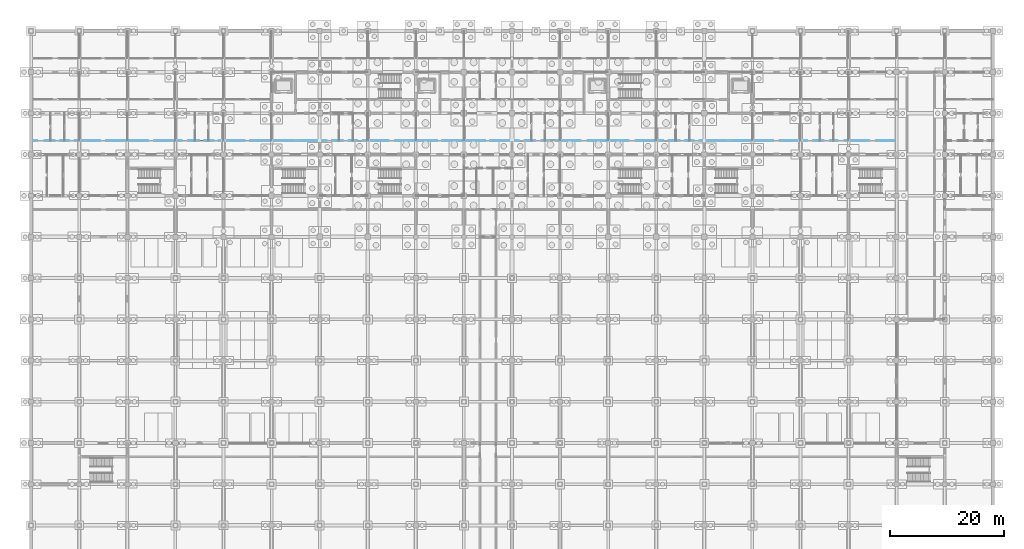
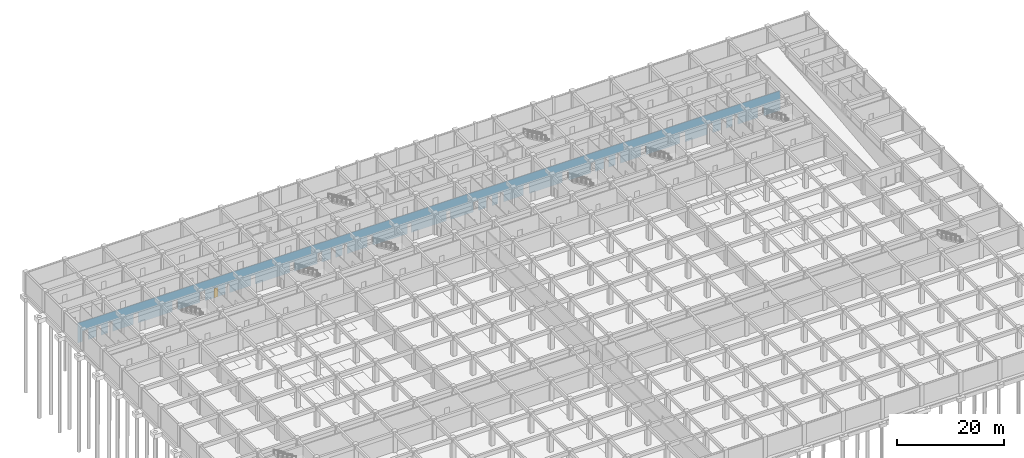
# One storey, part 47 of 85: 1 door, 30 openings, plus 1 element that does not belong to this part.
"""IFC4 building model written with IfcOpenShell, lengths in metres."""

import ifcopenshell
import ifcopenshell.guid

model = None  # the IFC model being written
_history = None  # IfcOwnerHistory: only IFC2X3 demands one
_inside = {}  # id of a spatial element -> (the spatial element, [elements in it])
_under = {}  # id of a project, library or spatial element -> (it, [spatial elements below it])
_declared = {}  # id of a project -> (the project, [libraries it declares])
_typed = {}  # id of a type object -> (the type object, [elements of that type])
_made_of = {}  # id of a material, layer set ... -> (it, [elements and type objects made of it])


def new_model(schema):
    """Start an empty IFC model of exactly this schema.

    Asked for "IFC4X3", IfcOpenShell would pick the latest addendum, in which some entities
    have other attributes; the version numbers below select the first issue.
    IFC2X3 requires an IfcOwnerHistory on every rooted entity: one is made here for all.
    """
    global model, _history
    if schema == "IFC4X3":
        model = ifcopenshell.file(schema_version=(4, 3, 0, 0))
    else:
        model = ifcopenshell.file(schema=schema)
    _inside.clear()
    _under.clear()
    _declared.clear()
    _typed.clear()
    _made_of.clear()
    _history = None
    if model.schema == "IFC2X3":
        org = make("IfcOrganization", Name="unknown")
        user = make(
            "IfcPersonAndOrganization",
            ThePerson=make("IfcPerson", FamilyName="unknown"),
            TheOrganization=org,
        )
        app = make(
            "IfcApplication",
            ApplicationDeveloper=org,
            Version="unknown",
            ApplicationFullName="unknown",
            ApplicationIdentifier="unknown",
        )
        _history = make(
            "IfcOwnerHistory",
            OwningUser=user,
            OwningApplication=app,
            ChangeAction="ADDED",
            CreationDate=0,
        )
    return model


def make(cls, **values):
    """One entity of the class cls with the attributes given. An attribute that is None is left unset."""
    return model.create_entity(
        cls, **{name: value for name, value in values.items() if value is not None}
    )


def rooted(cls, **values):
    """An entity with a GlobalId (a new one), such as an element, a storey or a relation."""
    return make(cls, GlobalId=ifcopenshell.guid.new(), OwnerHistory=_history, **values)


def si_unit(unit_type, name, prefix=None):
    """IfcSIUnit, for example si_unit("LENGTHUNIT", "METRE", prefix="MILLI")."""
    return make("IfcSIUnit", UnitType=unit_type, Prefix=prefix, Name=name)


def assignment(units):
    """IfcUnitAssignment: the units of a project."""
    return None if units is None else make("IfcUnitAssignment", Units=units)


def point(xyz):
    """IfcCartesianPoint."""
    return None if xyz is None else make("IfcCartesianPoint", Coordinates=xyz)


def direction(xyz):
    """IfcDirection."""
    return None if xyz is None else make("IfcDirection", DirectionRatios=xyz)


def frame(location, z_axis=None, x_axis=None):
    """IfcAxis2Placement3D, a coordinate frame: its origin and axes. An axis left out is left unset."""
    return make(
        "IfcAxis2Placement3D",
        Location=point(location),
        Axis=direction(z_axis),
        RefDirection=direction(x_axis),
    )


def frame_2d(location, x_axis=None):
    """IfcAxis2Placement2D, a coordinate frame in the plane: its origin and x axis."""
    return make(
        "IfcAxis2Placement2D", Location=point(location), RefDirection=direction(x_axis)
    )


def origin():
    """The frame at (0, 0, 0) with its axes left unset."""
    return frame((0.0, 0.0, 0.0))


def place(relative_to, where):
    """IfcLocalPlacement: puts the frame where relative to a parent placement (None: the world)."""
    return make(
        "IfcLocalPlacement", PlacementRelTo=relative_to, RelativePlacement=where
    )


def context(
    kind, dimensions, precision=None, world=None, true_north=None, identifier=None
):
    """IfcGeometricRepresentationContext, for example the 3D "Model" context."""
    return make(
        "IfcGeometricRepresentationContext",
        ContextIdentifier=identifier,
        ContextType=kind,
        CoordinateSpaceDimension=dimensions,
        Precision=precision,
        WorldCoordinateSystem=world,
        TrueNorth=true_north,
    )


def subcontext(parent, identifier, kind, view, scale=None):
    """IfcGeometricRepresentationSubContext, for example "Body" below "Model"."""
    return make(
        "IfcGeometricRepresentationSubContext",
        ContextIdentifier=identifier,
        ContextType=kind,
        ParentContext=parent,
        TargetScale=scale,
        TargetView=view,
    )


def project(units=None, contexts=None):
    """IfcProject with its units and contexts."""
    return rooted(
        "IfcProject",
        Name="project",
        RepresentationContexts=contexts,
        UnitsInContext=assignment(units),
    )


def spatial(cls, under=None, at=None, **own):
    """A site, building, storey or space (cls), placed at a placement, below another one or the project."""
    s = rooted(cls, ObjectPlacement=at, **own)
    if under is not None:
        _under.setdefault(under.id(), (under, []))[1].append(s)
    return s


def profile(cls, at=None, kind="AREA", **sizes):
    """A parametric profile (cls). Its sizes go by their IFC names, for example OverallWidth=200.0."""
    return make(cls, ProfileType=kind, Position=at, **sizes)


def rectangle(**sizes):
    """IfcRectangleProfileDef."""
    return profile("IfcRectangleProfileDef", **sizes)


def extrude(swept, where, along, depth):
    """IfcExtrudedAreaSolid: the profile swept, set in the frame where, extruded along a direction by depth."""
    return make(
        "IfcExtrudedAreaSolid",
        SweptArea=swept,
        Position=where,
        ExtrudedDirection=direction(along),
        Depth=depth,
    )


def shape(context_of_items, identifier, shape_type, items):
    """IfcShapeRepresentation: the items that make up one representation, for example the "Body"."""
    return make(
        "IfcShapeRepresentation",
        ContextOfItems=context_of_items,
        RepresentationIdentifier=identifier,
        RepresentationType=shape_type,
        Items=items,
    )


def material(Name=None, Category=None):
    """IfcMaterial."""
    return make("IfcMaterial", Name=Name, Category=Category)


def layer(
    of_material, thickness, ventilated=None, Name=None, Category=None, Priority=None
):
    """IfcMaterialLayer: one layer of a wall or slab, of a material (None: an air gap)."""
    return make(
        "IfcMaterialLayer",
        Material=of_material,
        LayerThickness=thickness,
        IsVentilated=ventilated,
        Name=Name,
        Category=Category,
        Priority=Priority,
    )


def layer_set(layers, Name=None):
    """IfcMaterialLayerSet."""
    return make("IfcMaterialLayerSet", MaterialLayers=layers, LayerSetName=Name)


def made_of(thing, what):
    """Note that an element or type object is made of a material, layer set ...; save() writes the relation."""
    if what is not None:
        _made_of.setdefault(what.id(), (what, []))[1].append(thing)
    return thing


def type_object(cls, material=None, **own):
    """A type object (cls), such as IfcWallType, which elements share."""
    return made_of(rooted(cls, **own), material)


def element(
    cls,
    number,
    at=None,
    inside=None,
    cuts=None,
    type_object=None,
    material=None,
    context=None,
    identifier="Body",
    shape_type=None,
    held_by="IfcProductDefinitionShape",
    body=None,
    shapes=None,
    **own,
):
    """One element of the class cls, such as IfcWall. Its Tag is "e" and its number.

    at: its placement. inside: the storey or other place that contains it. cuts: it is an
    opening in that element (IfcRelVoidsElement). A single representation is given by context,
    identifier, shape_type and body (its items); several are given by shapes. held_by: the class
    of the entity that holds the representations. save() writes the other relations.
    """
    e = rooted(cls, Tag="e%d" % number, ObjectPlacement=at, **own)
    if body is not None:
        shapes = [shape(context, identifier, shape_type, body)]
    if shapes is not None:
        e.Representation = make(held_by, Representations=shapes)
    if inside is not None:
        _inside.setdefault(inside.id(), (inside, []))[1].append(e)
    if cuts is not None:
        rooted(
            "IfcRelVoidsElement", RelatingBuildingElement=cuts, RelatedOpeningElement=e
        )
    if type_object is not None:
        _typed.setdefault(type_object.id(), (type_object, []))[1].append(e)
    return made_of(e, material)


def fill(opening, filler):
    """IfcRelFillsElement: the door or window that sits in an opening."""
    return rooted(
        "IfcRelFillsElement",
        RelatingOpeningElement=opening,
        RelatedBuildingElement=filler,
    )


def aggregate(whole, parts):
    """IfcRelAggregates: a whole, such as a stair, and the parts it consists of."""
    return rooted("IfcRelAggregates", RelatingObject=whole, RelatedObjects=parts)


def save(model, path):
    """Write the relations noted so far, then the file.

    IfcRelAggregates (storeys below a building ...), IfcRelContainedInSpatialStructure (elements
    in a storey), IfcRelDefinesByType, IfcRelAssociatesMaterial and IfcRelDeclares: one each for
    every whole, place, type object, material and project.
    """
    for whole, parts in _under.values():
        aggregate(whole, parts)
    for where, things in _inside.values():
        rooted(
            "IfcRelContainedInSpatialStructure",
            RelatedElements=things,
            RelatingStructure=where,
        )
    for kind, things in _typed.values():
        rooted("IfcRelDefinesByType", RelatedObjects=things, RelatingType=kind)
    for what, things in _made_of.values():
        rooted("IfcRelAssociatesMaterial", RelatedObjects=things, RelatingMaterial=what)
    for by, libraries in _declared.values():
        rooted("IfcRelDeclares", RelatingContext=by, RelatedDefinitions=libraries)
    model.write(path)


model = new_model("IFC4")

# Units and contexts
model_context = context("Model", 3, precision=1e-05, world=origin(), true_north=direction((0.0, 1.0)))
body_context = subcontext(model_context, "Body", "Model", "MODEL_VIEW")
ifc_project = project(units=[si_unit("LENGTHUNIT", "METRE"), si_unit("AREAUNIT", "SQUARE_METRE"), si_unit("VOLUMEUNIT", "CUBIC_METRE"), si_unit("PLANEANGLEUNIT", "RADIAN"), si_unit("MASSUNIT", "GRAM", prefix="KILO")], contexts=[model_context])

# Site, building, storey
site_placement = place(None, origin())
site = spatial("IfcSite", under=ifc_project, at=site_placement, CompositionType="ELEMENT")
building_placement = place(site_placement, origin())
building = spatial("IfcBuilding", under=site, at=building_placement, Name="Chengyuan Square Courthouse", CompositionType="ELEMENT")
storey_placement = place(building_placement, frame((0.0, 0.0, -10.199951171875)))
storey = spatial("IfcBuildingStorey", under=building, at=storey_placement, Name="B02", CompositionType="ELEMENT", Elevation=-10.199951171875)

# Wall, openings, door
ifc_material_1 = material(Name="Gypsum Plasterboard Acoustic Stud Partition")
ifc_layer = layer(ifc_material_1, 0.10009765625)
ifc_layer_set = layer_set([ifc_layer], Name="Gypsum Plasterboard Acoustic Stud Partition")
wall_type = type_object("IfcWallType", Name="WL-PT6", PredefinedType="STANDARD", material=ifc_layer_set)
wall_placement = place(storey_placement, frame((0.0400390625, 96.0, 0.0), z_axis=(0.0, 0.0, 1.0), x_axis=(1.0, 0.0, 0.0)))
wall = element("IfcWall", 1, at=wall_placement, inside=storey, type_object=wall_type, Name="Interior Wall WL-B02-I062", PredefinedType="STANDARD", context=body_context, shape_type="SweptSolid", body=[
    extrude(rectangle(XDim=151.159912109375, YDim=0.10009765625, at=frame_2d((75.580078125, 0.0))), origin(), (0.0, 0.0, 1.0), 4.47998046875),
])
opening_1_placement = place(wall_placement, frame((1.0400390625, 0.0, 0.0)))
element("IfcOpeningElement", 2, at=opening_1_placement, cuts=wall, Name="Opening DR-148", PredefinedType="OPENING", context=body_context, shape_type="SweptSolid", body=[
    extrude(rectangle(XDim=1.280029296875, YDim=2.35009765625, at=frame_2d((0.64013671875, 1.175048828125))), frame((0.0, 0.06201171875, 0.0), z_axis=(0.0, -1.0, 0.0), x_axis=(1.0, 0.0, 0.0)), (0.0, 0.0, 1.0), 0.1240234375),
])
opening_2_placement = place(wall_placement, frame((4.090087890625, 0.0, 0.0)))
element("IfcOpeningElement", 3, at=opening_2_placement, cuts=wall, Name="Opening DR-149", PredefinedType="OPENING", context=body_context, shape_type="SweptSolid", body=[
    extrude(rectangle(XDim=0.93994140625, YDim=2.300048828125, at=frame_2d((0.469970703125, 1.14990234375))), frame((0.0, 0.06201171875, 0.0), z_axis=(0.0, -1.0, 0.0), x_axis=(1.0, 0.0, 0.0)), (0.0, 0.0, 1.0), 0.1240234375),
])
opening_3_placement = place(wall_placement, frame((6.570068359375, 0.0, 0.0)))
element("IfcOpeningElement", 4, at=opening_3_placement, cuts=wall, Name="Opening DR-150", PredefinedType="OPENING", context=body_context, shape_type="SweptSolid", body=[
    extrude(rectangle(XDim=0.97998046875, YDim=2.35009765625, at=frame_2d((0.489990234375, 1.175048828125))), frame((0.0, 0.06201171875, 0.0), z_axis=(0.0, -1.0, 0.0), x_axis=(1.0, 0.0, 0.0)), (0.0, 0.0, 1.0), 0.1240234375),
])
opening_4_placement = place(wall_placement, frame((12.050048828125, 0.0, 0.0)))
element("IfcOpeningElement", 5, at=opening_4_placement, cuts=wall, Name="Opening DR-151", PredefinedType="OPENING", context=body_context, shape_type="SweptSolid", body=[
    extrude(rectangle(XDim=1.02001953125, YDim=2.39990234375, at=frame_2d((0.510009765625, 1.199951171875))), frame((0.0, 0.06201171875, 0.0), z_axis=(0.0, -1.0, 0.0), x_axis=(1.0, 0.0, 0.0)), (0.0, 0.0, 1.0), 0.1240234375),
])
opening_5_placement = place(wall_placement, frame((20.429931640625, 0.0, 0.0)))
element("IfcOpeningElement", 6, at=opening_5_placement, cuts=wall, Name="Opening DR-152", PredefinedType="OPENING", context=body_context, shape_type="SweptSolid", body=[
    extrude(rectangle(XDim=1.06005859375, YDim=2.39990234375, at=frame_2d((0.530029296875, 1.199951171875))), frame((0.0, 0.06201171875, 0.0), z_axis=(0.0, -1.0, 0.0), x_axis=(1.0, 0.0, 0.0)), (0.0, 0.0, 1.0), 0.1240234375),
])
opening_6_placement = place(wall_placement, frame((26.2900390625, 0.0, 0.0)))
element("IfcOpeningElement", 7, at=opening_6_placement, cuts=wall, Name="Opening DR-153", PredefinedType="OPENING", context=body_context, shape_type="SweptSolid", body=[
    extrude(rectangle(XDim=1.139892578125, YDim=2.39990234375, at=frame_2d((0.56982421875, 1.199951171875))), frame((0.0, 0.06201171875, 0.0), z_axis=(0.0, -1.0, 0.0), x_axis=(1.0, 0.0, 0.0)), (0.0, 0.0, 1.0), 0.1240234375),
])
opening_7_placement = place(wall_placement, frame((29.31005859375, 0.0, 0.0)))
opening_7 = element("IfcOpeningElement", 8, at=opening_7_placement, cuts=wall, Name="Opening DR-154", PredefinedType="OPENING", context=body_context, shape_type="SweptSolid", body=[
    extrude(rectangle(XDim=0.89990234375, YDim=2.14990234375, at=frame_2d((0.449951171875, 1.074951171875))), frame((0.0, 0.06201171875, 0.0), z_axis=(0.0, -1.0, 0.0), x_axis=(1.0, 0.0, 0.0)), (0.0, 0.0, 1.0), 0.1240234375),
])
opening_8_placement = place(wall_placement, frame((31.830078125, 0.0, 0.0)))
element("IfcOpeningElement", 9, at=opening_8_placement, cuts=wall, Name="Opening DR-155", PredefinedType="OPENING", context=body_context, shape_type="SweptSolid", body=[
    extrude(rectangle(XDim=0.860107421875, YDim=2.10009765625, at=frame_2d((0.43017578125, 1.050048828125))), frame((0.0, 0.06201171875, 0.0), z_axis=(0.0, -1.0, 0.0), x_axis=(1.0, 0.0, 0.0)), (0.0, 0.0, 1.0), 0.1240234375),
])
opening_9_placement = place(wall_placement, frame((37.300048828125, 0.0, 0.0)))
element("IfcOpeningElement", 10, at=opening_9_placement, cuts=wall, Name="Opening DR-156", PredefinedType="OPENING", context=body_context, shape_type="SweptSolid", body=[
    extrude(rectangle(XDim=0.919921875, YDim=2.14990234375, at=frame_2d((0.4599609375, 1.074951171875))), frame((0.0, 0.06201171875, 0.0), z_axis=(0.0, -1.0, 0.0), x_axis=(1.0, 0.0, 0.0)), (0.0, 0.0, 1.0), 0.1240234375),
])
opening_10_placement = place(wall_placement, frame((45.679931640625, 0.0, 0.0)))
element("IfcOpeningElement", 11, at=opening_10_placement, cuts=wall, Name="Opening DR-157", PredefinedType="OPENING", context=body_context, shape_type="SweptSolid", body=[
    extrude(rectangle(XDim=0.9599609375, YDim=2.199951171875, at=frame_2d((0.47998046875, 1.10009765625))), frame((0.0, 0.06201171875, 0.0), z_axis=(0.0, -1.0, 0.0), x_axis=(1.0, 0.0, 0.0)), (0.0, 0.0, 1.0), 0.1240234375),
])
opening_11_placement = place(wall_placement, frame((51.570068359375, 0.0, 0.0)))
element("IfcOpeningElement", 12, at=opening_11_placement, cuts=wall, Name="Opening DR-167", PredefinedType="OPENING", context=body_context, shape_type="SweptSolid", body=[
    extrude(rectangle(XDim=0.97998046875, YDim=2.35009765625, at=frame_2d((0.489990234375, 1.175048828125))), frame((0.0, 0.06201171875, 0.0), z_axis=(0.0, -1.0, 0.0), x_axis=(1.0, 0.0, 0.0)), (0.0, 0.0, 1.0), 0.1240234375),
])
opening_12_placement = place(wall_placement, frame((54.449951171875, 0.0, 0.0)))
element("IfcOpeningElement", 13, at=opening_12_placement, cuts=wall, Name="Opening DR-168", PredefinedType="OPENING", context=body_context, shape_type="SweptSolid", body=[
    extrude(rectangle(XDim=1.02001953125, YDim=2.39990234375, at=frame_2d((0.510009765625, 1.199951171875))), frame((0.0, 0.06201171875, 0.0), z_axis=(0.0, -1.0, 0.0), x_axis=(1.0, 0.0, 0.0)), (0.0, 0.0, 1.0), 0.1240234375),
])
opening_13_placement = place(wall_placement, frame((56.929931640625, 0.0, 0.0)))
element("IfcOpeningElement", 14, at=opening_13_placement, cuts=wall, Name="Opening DR-169", PredefinedType="OPENING", context=body_context, shape_type="SweptSolid", body=[
    extrude(rectangle(XDim=1.06005859375, YDim=2.39990234375, at=frame_2d((0.530029296875, 1.199951171875))), frame((0.0, 0.06201171875, 0.0), z_axis=(0.0, -1.0, 0.0), x_axis=(1.0, 0.0, 0.0)), (0.0, 0.0, 1.0), 0.1240234375),
])
opening_14_placement = place(wall_placement, frame((62.389892578125, 0.0, 0.0)))
element("IfcOpeningElement", 15, at=opening_14_placement, cuts=wall, Name="Opening DR-170", PredefinedType="OPENING", context=body_context, shape_type="SweptSolid", body=[
    extrude(rectangle(XDim=1.139892578125, YDim=2.39990234375, at=frame_2d((0.56982421875, 1.199951171875))), frame((0.0, 0.06201171875, 0.0), z_axis=(0.0, -1.0, 0.0), x_axis=(1.0, 0.0, 0.0)), (0.0, 0.0, 1.0), 0.1240234375),
])
opening_15_placement = place(wall_placement, frame((70.909912109375, 0.0, 0.0)))
element("IfcOpeningElement", 16, at=opening_15_placement, cuts=wall, Name="Opening DR-171", PredefinedType="OPENING", context=body_context, shape_type="SweptSolid", body=[
    extrude(rectangle(XDim=0.89990234375, YDim=2.14990234375, at=frame_2d((0.449951171875, 1.074951171875))), frame((0.0, 0.06201171875, 0.0), z_axis=(0.0, -1.0, 0.0), x_axis=(1.0, 0.0, 0.0)), (0.0, 0.0, 1.0), 0.1240234375),
])
opening_16_placement = place(wall_placement, frame((79.330078125, 0.0, 0.0)))
element("IfcOpeningElement", 17, at=opening_16_placement, cuts=wall, Name="Opening DR-172", PredefinedType="OPENING", context=body_context, shape_type="SweptSolid", body=[
    extrude(rectangle(XDim=0.860107421875, YDim=2.10009765625, at=frame_2d((0.43017578125, 1.050048828125))), frame((0.0, 0.06201171875, 0.0), z_axis=(0.0, -1.0, 0.0), x_axis=(1.0, 0.0, 0.0)), (0.0, 0.0, 1.0), 0.1240234375),
])
opening_17_placement = place(wall_placement, frame((85.10009765625, 0.0, 0.0)))
element("IfcOpeningElement", 18, at=opening_17_placement, cuts=wall, Name="Opening DR-178", PredefinedType="OPENING", context=body_context, shape_type="SweptSolid", body=[
    extrude(rectangle(XDim=1.1201171875, YDim=2.25, at=frame_2d((0.56005859375, 1.125))), frame((0.0, 0.06201171875, 0.0), z_axis=(0.0, -1.0, 0.0), x_axis=(1.0, 0.0, 0.0)), (0.0, 0.0, 1.0), 0.1240234375),
])
opening_18_placement = place(wall_placement, frame((87.97998046875, 0.0, 0.0)))
element("IfcOpeningElement", 19, at=opening_18_placement, cuts=wall, Name="Opening DR-179", PredefinedType="OPENING", context=body_context, shape_type="SweptSolid", body=[
    extrude(rectangle(XDim=1.159912109375, YDim=2.300048828125, at=frame_2d((0.580078125, 1.14990234375))), frame((0.0, 0.06201171875, 0.0), z_axis=(0.0, -1.0, 0.0), x_axis=(1.0, 0.0, 0.0)), (0.0, 0.0, 1.0), 0.1240234375),
])
opening_19_placement = place(wall_placement, frame((90.4599609375, 0.0, 0.0)))
element("IfcOpeningElement", 20, at=opening_19_placement, cuts=wall, Name="Opening DR-180", PredefinedType="OPENING", context=body_context, shape_type="SweptSolid", body=[
    extrude(rectangle(XDim=1.199951171875, YDim=2.35009765625, at=frame_2d((0.60009765625, 1.175048828125))), frame((0.0, 0.06201171875, 0.0), z_axis=(0.0, -1.0, 0.0), x_axis=(1.0, 0.0, 0.0)), (0.0, 0.0, 1.0), 0.1240234375),
])
opening_20_placement = place(wall_placement, frame((95.93994140625, 0.0, 0.0)))
element("IfcOpeningElement", 21, at=opening_20_placement, cuts=wall, Name="Opening DR-181", PredefinedType="OPENING", context=body_context, shape_type="SweptSolid", body=[
    extrude(rectangle(XDim=1.239990234375, YDim=2.300048828125, at=frame_2d((0.6201171875, 1.14990234375))), frame((0.0, 0.06201171875, 0.0), z_axis=(0.0, -1.0, 0.0), x_axis=(1.0, 0.0, 0.0)), (0.0, 0.0, 1.0), 0.1240234375),
])
opening_21_placement = place(wall_placement, frame((104.320068359375, 0.0, 0.0)))
element("IfcOpeningElement", 22, at=opening_21_placement, cuts=wall, Name="Opening DR-182", PredefinedType="OPENING", context=body_context, shape_type="SweptSolid", body=[
    extrude(rectangle(XDim=1.280029296875, YDim=2.35009765625, at=frame_2d((0.64013671875, 1.175048828125))), frame((0.0, 0.06201171875, 0.0), z_axis=(0.0, -1.0, 0.0), x_axis=(1.0, 0.0, 0.0)), (0.0, 0.0, 1.0), 0.1240234375),
])
opening_22_placement = place(wall_placement, frame((110.389892578125, 0.0, 0.0)))
element("IfcOpeningElement", 23, at=opening_22_placement, cuts=wall, Name="Opening DR-183", PredefinedType="OPENING", context=body_context, shape_type="SweptSolid", body=[
    extrude(rectangle(XDim=0.93994140625, YDim=2.300048828125, at=frame_2d((0.469970703125, 1.14990234375))), frame((0.0, 0.06201171875, 0.0), z_axis=(0.0, -1.0, 0.0), x_axis=(1.0, 0.0, 0.0)), (0.0, 0.0, 1.0), 0.1240234375),
])
opening_23_placement = place(wall_placement, frame((113.27001953125, 0.0, 0.0)))
element("IfcOpeningElement", 24, at=opening_23_placement, cuts=wall, Name="Opening DR-184", PredefinedType="OPENING", context=body_context, shape_type="SweptSolid", body=[
    extrude(rectangle(XDim=0.97998046875, YDim=2.35009765625, at=frame_2d((0.489990234375, 1.175048828125))), frame((0.0, 0.06201171875, 0.0), z_axis=(0.0, -1.0, 0.0), x_axis=(1.0, 0.0, 0.0)), (0.0, 0.0, 1.0), 0.1240234375),
])
opening_24_placement = place(wall_placement, frame((115.75, 0.0, 0.0)))
element("IfcOpeningElement", 25, at=opening_24_placement, cuts=wall, Name="Opening DR-185", PredefinedType="OPENING", context=body_context, shape_type="SweptSolid", body=[
    extrude(rectangle(XDim=1.02001953125, YDim=2.39990234375, at=frame_2d((0.510009765625, 1.199951171875))), frame((0.0, 0.06201171875, 0.0), z_axis=(0.0, -1.0, 0.0), x_axis=(1.0, 0.0, 0.0)), (0.0, 0.0, 1.0), 0.1240234375),
])
opening_25_placement = place(wall_placement, frame((121.239990234375, 0.0, 0.0)))
element("IfcOpeningElement", 26, at=opening_25_placement, cuts=wall, Name="Opening DR-193", PredefinedType="OPENING", context=body_context, shape_type="SweptSolid", body=[
    extrude(rectangle(XDim=1.0400390625, YDim=2.199951171875, at=frame_2d((0.52001953125, 1.10009765625))), frame((0.0, 0.06201171875, 0.0), z_axis=(0.0, -1.0, 0.0), x_axis=(1.0, 0.0, 0.0)), (0.0, 0.0, 1.0), 0.1240234375),
])
opening_26_placement = place(wall_placement, frame((129.6201171875, 0.0, 0.0)))
element("IfcOpeningElement", 27, at=opening_26_placement, cuts=wall, Name="Opening DR-194", PredefinedType="OPENING", context=body_context, shape_type="SweptSolid", body=[
    extrude(rectangle(XDim=1.080078125, YDim=2.25, at=frame_2d((0.5400390625, 1.125))), frame((0.0, 0.06201171875, 0.0), z_axis=(0.0, -1.0, 0.0), x_axis=(1.0, 0.0, 0.0)), (0.0, 0.0, 1.0), 0.1240234375),
])
opening_27_placement = place(wall_placement, frame((135.5, 0.0, 0.0)))
element("IfcOpeningElement", 28, at=opening_27_placement, cuts=wall, Name="Opening DR-195", PredefinedType="OPENING", context=body_context, shape_type="SweptSolid", body=[
    extrude(rectangle(XDim=1.1201171875, YDim=2.25, at=frame_2d((0.56005859375, 1.125))), frame((0.0, 0.06201171875, 0.0), z_axis=(0.0, -1.0, 0.0), x_axis=(1.0, 0.0, 0.0)), (0.0, 0.0, 1.0), 0.1240234375),
])
opening_28_placement = place(wall_placement, frame((138.3798828125, 0.0, 0.0)))
element("IfcOpeningElement", 29, at=opening_28_placement, cuts=wall, Name="Opening DR-196", PredefinedType="OPENING", context=body_context, shape_type="SweptSolid", body=[
    extrude(rectangle(XDim=1.159912109375, YDim=2.300048828125, at=frame_2d((0.580078125, 1.14990234375))), frame((0.0, 0.06201171875, 0.0), z_axis=(0.0, -1.0, 0.0), x_axis=(1.0, 0.0, 0.0)), (0.0, 0.0, 1.0), 0.1240234375),
])
opening_29_placement = place(wall_placement, frame((140.860107421875, 0.0, 0.0)))
element("IfcOpeningElement", 30, at=opening_29_placement, cuts=wall, Name="Opening DR-197", PredefinedType="OPENING", context=body_context, shape_type="SweptSolid", body=[
    extrude(rectangle(XDim=1.199951171875, YDim=2.35009765625, at=frame_2d((0.60009765625, 1.175048828125))), frame((0.0, 0.06201171875, 0.0), z_axis=(0.0, -1.0, 0.0), x_axis=(1.0, 0.0, 0.0)), (0.0, 0.0, 1.0), 0.1240234375),
])
opening_30_placement = place(wall_placement, frame((146.340087890625, 0.0, 0.0)))
element("IfcOpeningElement", 31, at=opening_30_placement, cuts=wall, Name="Opening DR-198", PredefinedType="OPENING", context=body_context, shape_type="SweptSolid", body=[
    extrude(rectangle(XDim=1.239990234375, YDim=2.300048828125, at=frame_2d((0.6201171875, 1.14990234375))), frame((0.0, 0.06201171875, 0.0), z_axis=(0.0, -1.0, 0.0), x_axis=(1.0, 0.0, 0.0)), (0.0, 0.0, 1.0), 0.1240234375),
])
ifc_material_2 = material(Name="Acoustic Solid-Core Timber Door", Category="wood")
door_type = type_object("IfcDoorType", Name="DT-27", OperationType="NOTDEFINED", PredefinedType="DOOR", material=ifc_material_2)
door_placement = place(opening_7_placement, origin())
door = element("IfcDoor", 32, at=door_placement, inside=storey, type_object=door_type, Name="Interior Door DR-154", OperationType="SINGLE_SWING_LEFT", OverallHeight=2.14990234375, OverallWidth=0.89990234375, PredefinedType="DOOR", context=body_context, shape_type="SweptSolid", body=[
    extrude(rectangle(XDim=0.89990234375, YDim=2.14990234375, at=frame_2d((0.449951171875, 1.074951171875))), frame((0.0, 0.02490234375, 0.0), z_axis=(0.0, -1.0, 0.0), x_axis=(1.0, 0.0, 0.0)), (0.0, 0.0, 1.0), 0.050048828125),
])
fill(opening_7, door)

save(model, "model.ifc")
